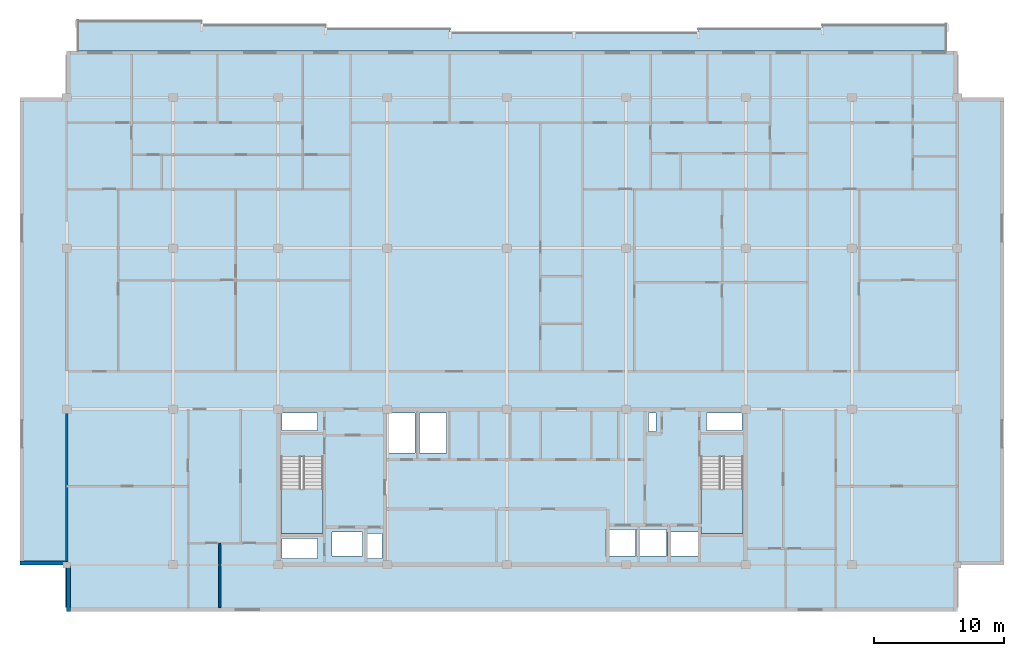
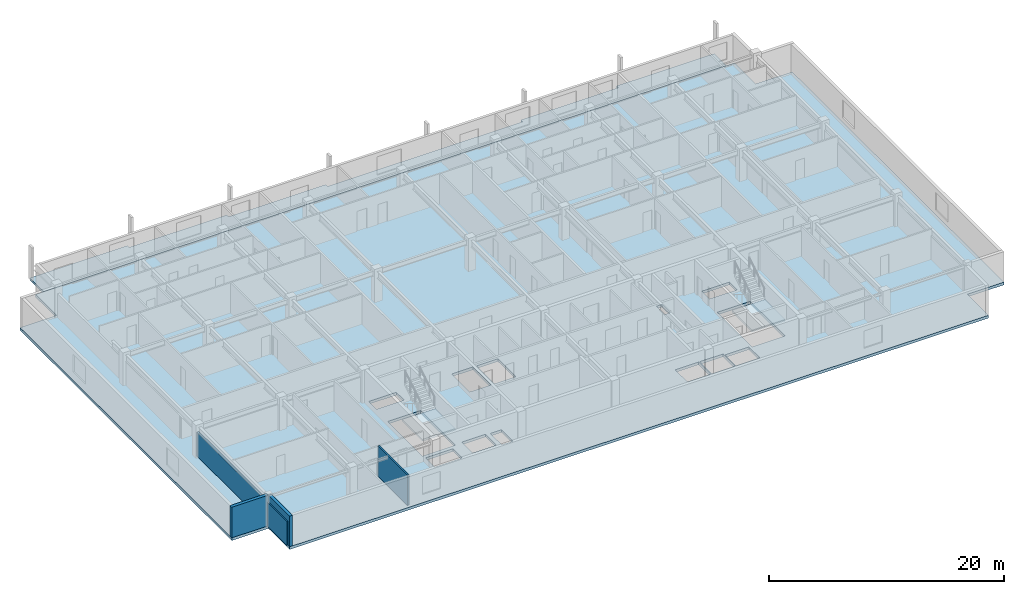
# One storey, part 2 of 10: 4 slabs, 4 walls, 2 elements without a shape of their own.
"""IFC4 building model written with IfcOpenShell, lengths in metres."""

from ifc_helpers import new_model, si_unit, direction, frame, frame_2d, origin, place, context, subcontext, project, spatial, polyline, rectangle, outline, extrude, material, layer, layer_set, type_object, element, aggregate, save


model = new_model("IFC4")

# Units and contexts
model_context = context("Model", 3, precision=1e-05, world=origin(), true_north=direction((0.0, 1.0)))
body_context = subcontext(model_context, "Body", "Model", "MODEL_VIEW")
ifc_project = project(units=[si_unit("LENGTHUNIT", "METRE"), si_unit("AREAUNIT", "SQUARE_METRE"), si_unit("VOLUMEUNIT", "CUBIC_METRE"), si_unit("PLANEANGLEUNIT", "RADIAN"), si_unit("MASSUNIT", "GRAM", prefix="KILO")], contexts=[model_context])

# Site, building, storey
site_placement = place(None, origin())
site = spatial("IfcSite", under=ifc_project, at=site_placement, CompositionType="ELEMENT")
building_placement = place(site_placement, origin())
building = spatial("IfcBuilding", under=site, at=building_placement, Name="Korimba Cascade Residences", CompositionType="ELEMENT")
storey_placement = place(building_placement, frame((0.0, 0.0, 232.10009765625)))
storey = spatial("IfcBuildingStorey", under=building, at=storey_placement, Name="L67", CompositionType="ELEMENT", Elevation=232.10009765625)

# Stair, slab
ifc_material_1 = material(Name="Concrete C50/60", Category="concrete")
stair_type_1 = type_object("IfcStairType", Name="STR-W1-20R-1725", PredefinedType="HALF_TURN_STAIR", material=ifc_material_1)
stair_1_placement = place(storey_placement, origin())
stair_1 = element("IfcStair", 1, at=stair_1_placement, inside=storey, type_object=stair_type_1, Name="L67 Tower 1 West Fire Stair ST-W1", PredefinedType="HALF_TURN_STAIR")
ifc_layer_1 = layer(ifc_material_1, 0.199951171875)
ifc_layer_set_1 = layer_set([ifc_layer_1], Name="Concrete C50/60")
slab_type_1 = type_object("IfcSlabType", Name="SLB-LND-220", PredefinedType="LANDING", material=ifc_layer_set_1)
slab_1_placement = place(storey_placement, frame((0.0, 0.0, 1.52490234375)))
slab_1 = element("IfcSlab", 2, at=slab_1_placement, type_object=slab_type_1, Name="ST-W1 landing 1", PredefinedType="LANDING", context=body_context, shape_type="SweptSolid", body=[
    extrude(outline(polyline([(76.300048828125, 61.030029296875), (76.300048828125, 57.60009765625), (79.5400390625, 57.60009765625), (79.5400390625, 61.030029296875), (76.300048828125, 61.030029296875)])), origin(), (0.0, 0.0, 1.0), 0.199951171875),
])
aggregate(stair_1, [slab_1])

stair_type_2 = type_object("IfcStairType", Name="STR-W2-20R-1725", PredefinedType="HALF_TURN_STAIR", material=ifc_material_1)
stair_2_placement = place(storey_placement, origin())
stair_2 = element("IfcStair", 3, at=stair_2_placement, inside=storey, type_object=stair_type_2, Name="L67 Tower 1 East Fire Stair ST-W2", PredefinedType="HALF_TURN_STAIR")
slab_2_placement = place(storey_placement, frame((0.0, 0.0, 1.52490234375)))
slab_2 = element("IfcSlab", 4, at=slab_2_placement, type_object=slab_type_1, Name="ST-W2 landing 1", PredefinedType="LANDING", context=body_context, shape_type="SweptSolid", body=[
    extrude(outline(polyline([(108.659912109375, 61.030029296875), (108.659912109375, 57.60009765625), (111.89990234375, 57.60009765625), (111.89990234375, 61.030029296875), (108.659912109375, 61.030029296875)])), origin(), (0.0, 0.0, 1.0), 0.199951171875),
])
aggregate(stair_2, [slab_2])

# Slabs
ifc_material_2 = material(Name="Precast concrete C40/50", Category="concrete")
ifc_layer_2 = layer(ifc_material_2, 0.239990234375)
ifc_layer_set_2 = layer_set([ifc_layer_2], Name="Precast concrete C40/50")
slab_type_2 = type_object("IfcSlabType", Name="SLB-LOG-240", PredefinedType="FLOOR", material=ifc_layer_set_2)
slab_3_placement = place(storey_placement, frame((0.0, 0.0, -0.239990234375)))
element("IfcSlab", 5, at=slab_3_placement, inside=storey, type_object=slab_type_2, Name="L67 Tower 1 North Loggia Slab", PredefinedType="FLOOR", context=body_context, shape_type="SweptSolid", body=[
    extrude(outline(polyline([(60.60009765625, 94.800048828125), (127.60009765625, 94.800048828125), (127.60009765625, 96.85009765625), (118.028564453125, 96.85009765625), (118.028564453125, 96.550048828125), (108.45703125, 96.550048828125), (108.45703125, 96.25), (89.314208984375, 96.25), (89.314208984375, 96.550048828125), (79.742919921875, 96.550048828125), (79.742919921875, 96.85009765625), (70.17138671875, 96.85009765625), (70.17138671875, 97.14990234375), (60.60009765625, 97.14990234375), (60.60009765625, 94.800048828125)])), origin(), (0.0, 0.0, 1.0), 0.239990234375),
])
ifc_layer_3 = layer(ifc_material_1, 0.280029296875)
ifc_layer_set_3 = layer_set([ifc_layer_3], Name="Concrete C50/60")
slab_type_3 = type_object("IfcSlabType", Name="SLB-TYP-280", PredefinedType="FLOOR", material=ifc_layer_set_3)
slab_4_placement = place(storey_placement, frame((0.0, 0.0, -0.280029296875)))
element("IfcSlab", 6, at=slab_4_placement, inside=storey, type_object=slab_type_3, Name="L67 Tower 1 Floor Slab", PredefinedType="FLOOR", context=body_context, shape_type="SweptSolid", body=[
    extrude(outline(polyline([(59.800048828125, 51.60009765625), (128.39990234375, 51.60009765625), (128.39990234375, 55.199951171875), (132.0, 55.199951171875), (132.0, 91.199951171875), (128.39990234375, 91.199951171875), (128.39990234375, 94.800048828125), (59.800048828125, 94.800048828125), (59.800048828125, 91.199951171875), (56.199951171875, 91.199951171875), (56.199951171875, 55.199951171875), (59.800048828125, 55.199951171875), (59.800048828125, 51.60009765625)]), holes=[polyline([(76.300048828125, 63.514892578125), (76.300048828125, 57.60009765625), (79.5400390625, 57.60009765625), (79.5400390625, 63.514892578125), (76.300048828125, 63.514892578125)]), polyline([(108.659912109375, 63.514892578125), (108.659912109375, 57.60009765625), (111.89990234375, 57.60009765625), (111.89990234375, 63.514892578125), (108.659912109375, 63.514892578125)]), polyline([(80.22998046875, 55.8798828125), (82.570068359375, 55.8798828125), (82.570068359375, 57.719970703125), (80.22998046875, 57.719970703125), (80.22998046875, 55.8798828125)]), polyline([(106.080078125, 55.8798828125), (108.419921875, 55.8798828125), (108.419921875, 57.719970703125), (106.080078125, 57.719970703125), (106.080078125, 55.8798828125)]), polyline([(101.304931640625, 55.8798828125), (103.594970703125, 55.8798828125), (103.594970703125, 57.919921875), (101.304931640625, 57.919921875), (101.304931640625, 55.8798828125)]), polyline([(103.705078125, 55.8798828125), (105.9951171875, 55.8798828125), (105.9951171875, 57.919921875), (103.705078125, 57.919921875), (103.705078125, 55.8798828125)]), polyline([(82.97998046875, 55.679931640625), (84.080078125, 55.679931640625), (84.080078125, 57.6201171875), (82.97998046875, 57.6201171875), (82.97998046875, 55.679931640625)]), polyline([(76.39990234375, 65.56005859375), (79.10009765625, 65.56005859375), (79.10009765625, 66.8798828125), (76.39990234375, 66.8798828125), (76.39990234375, 65.56005859375)]), polyline([(76.39990234375, 55.679931640625), (79.10009765625, 55.679931640625), (79.10009765625, 57.239990234375), (76.39990234375, 57.239990234375), (76.39990234375, 55.679931640625)]), polyline([(84.530029296875, 63.820068359375), (86.6201171875, 63.820068359375), (86.6201171875, 66.8798828125), (84.530029296875, 66.8798828125), (84.530029296875, 63.820068359375)]), polyline([(86.97998046875, 63.820068359375), (89.070068359375, 63.820068359375), (89.070068359375, 66.8798828125), (86.97998046875, 66.8798828125), (86.97998046875, 63.820068359375)]), polyline([(104.6201171875, 65.4599609375), (105.179931640625, 65.4599609375), (105.179931640625, 66.8798828125), (104.6201171875, 66.8798828125), (104.6201171875, 65.4599609375)]), polyline([(109.080078125, 65.56005859375), (111.800048828125, 65.56005859375), (111.800048828125, 66.8798828125), (109.080078125, 66.8798828125), (109.080078125, 65.56005859375)])]), origin(), (0.0, 0.0, 1.0), 0.280029296875),
])

# Walls
ifc_layer_4 = layer(ifc_material_2, 0.300048828125)
ifc_layer_set_4 = layer_set([ifc_layer_4], Name="Precast concrete C40/50")
wall_type_1 = type_object("IfcWallType", Name="EW-STONE-300", PredefinedType="STANDARD", material=ifc_layer_set_4)
wall_1_placement = place(storey_placement, frame((56.199951171875, 55.35009765625, 0.0), z_axis=(0.0, 0.0, 1.0), x_axis=(1.0, 0.0, 0.0)))
element("IfcWall", 7, at=wall_1_placement, inside=storey, type_object=wall_type_1, Name="L67 T1 Perimeter Stone Wall E10", PredefinedType="STANDARD", context=body_context, shape_type="SweptSolid", body=[
    extrude(rectangle(XDim=3.60009765625, YDim=0.300048828125, at=frame_2d((1.800048828125, 0.0))), origin(), (0.0, 0.0, 1.0), 3.169921875),
])
wall_2_placement = place(storey_placement, frame((59.949951171875, 55.199951171875, 0.0), z_axis=(0.0, 0.0, 1.0), x_axis=(0.0, -1.0, 0.0)))
element("IfcWall", 8, at=wall_2_placement, inside=storey, type_object=wall_type_1, Name="L67 T1 Perimeter Stone Wall E11", PredefinedType="STANDARD", context=body_context, shape_type="SweptSolid", body=[
    extrude(rectangle(XDim=3.599853515625, YDim=0.300048828125, at=frame_2d((1.7998046875, 0.0))), origin(), (0.0, 0.0, 1.0), 3.169921875),
])
ifc_layer_5 = layer(ifc_material_2, 0.199951171875)
ifc_layer_set_5 = layer_set([ifc_layer_5], Name="Precast concrete C40/50")
wall_type_2 = type_object("IfcWallType", Name="WAL-IT-200", PredefinedType="PARTITIONING", material=ifc_layer_set_5)
wall_3_placement = place(storey_placement, frame((59.800048828125, 51.89990234375, 0.0), z_axis=(0.0, 0.0, 1.0), x_axis=(0.0, 1.0, 0.0)))
element("IfcWall", 9, at=wall_3_placement, inside=storey, type_object=wall_type_2, Name="L67 Partition Wall WAL-L67-T1-FW-WL", PredefinedType="PARTITIONING", context=body_context, shape_type="SweptSolid", body=[
    extrude(rectangle(XDim=15.300048828125, YDim=0.199951171875, at=frame_2d((7.64990234375, 0.0))), origin(), (0.0, 0.0, 1.0), 2.47705078125),
])
ifc_material_3 = material(Name="Insulated Acoustic Stud Partition", Category="gypsum")
ifc_layer_6 = layer(ifc_material_3, 0.14990234375)
ifc_layer_set_6 = layer_set([ifc_layer_6], Name="Insulated Acoustic Stud Partition")
wall_type_3 = type_object("IfcWallType", Name="WAL-PART-150", PredefinedType="PARTITIONING", material=ifc_layer_set_6)
wall_4_placement = place(storey_placement, frame((71.60009765625, 51.89990234375, 0.0), z_axis=(0.0, 0.0, 1.0), x_axis=(0.0, 1.0, 0.0)))
element("IfcWall", 10, at=wall_4_placement, inside=storey, type_object=wall_type_3, Name="L67 Partition Wall WAL-L67-T1-FW-VS", PredefinedType="PARTITIONING", context=body_context, shape_type="SweptSolid", body=[
    extrude(rectangle(XDim=4.97021484375, YDim=0.14990234375, at=frame_2d((2.485107421875, 0.0))), origin(), (0.0, 0.0, 1.0), 3.169921875),
])

save(model, "model.ifc")
